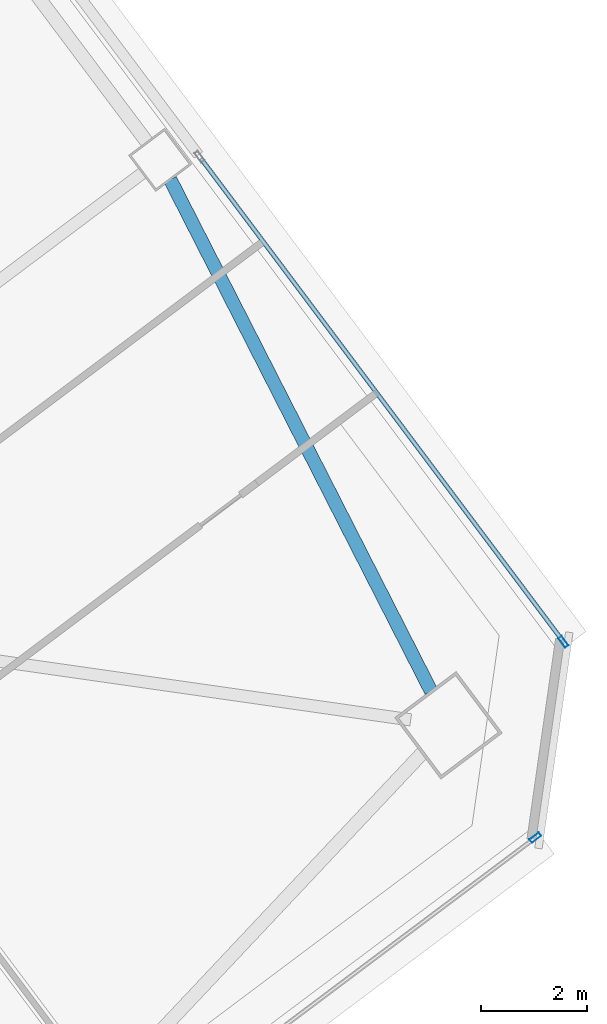
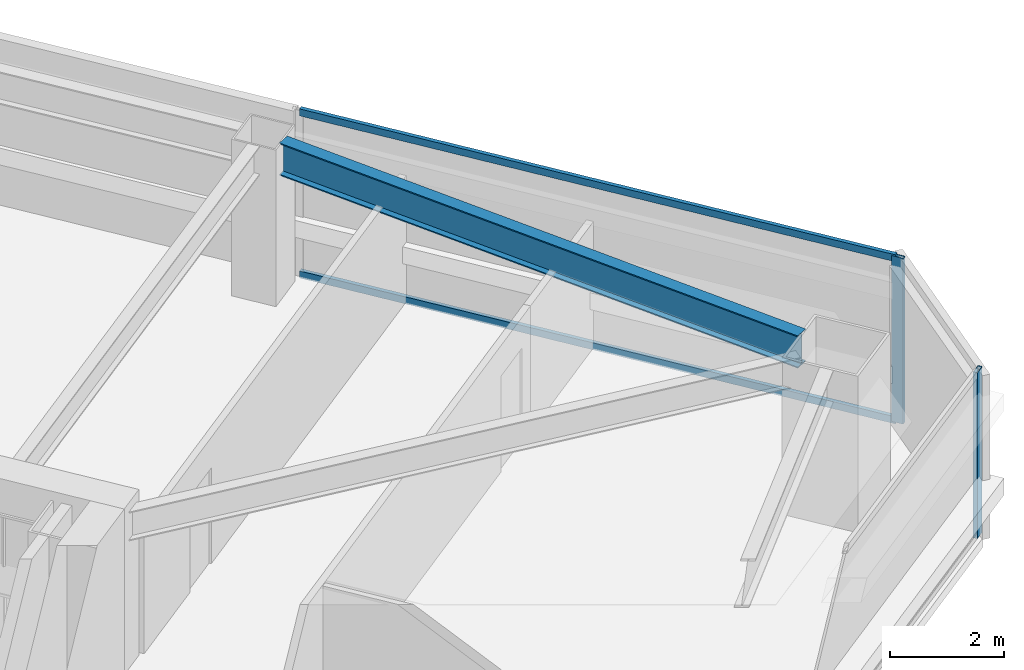
# One storey, part 26 of 44: 4 members, 1 beam, 2 elements without a shape of their own.
"""IFC4 building model written with IfcOpenShell, lengths in metres."""

from ifc_helpers import new_model, si_unit, direction, frame, origin, origin_2d, place, context, subcontext, project, spatial, hollow_rectangle, i_section, extrude, material, material_profile, profile_set, type_object, element, aggregate, save


model = new_model("IFC4")

# Units and contexts
model_context = context("Model", 3, precision=1e-05, world=origin(), true_north=direction((0.0, 1.0)))
body_context = subcontext(model_context, "Body", "Model", "MODEL_VIEW")
ifc_project = project(units=[si_unit("LENGTHUNIT", "METRE"), si_unit("AREAUNIT", "SQUARE_METRE"), si_unit("VOLUMEUNIT", "CUBIC_METRE"), si_unit("PLANEANGLEUNIT", "RADIAN"), si_unit("MASSUNIT", "GRAM", prefix="KILO")], contexts=[model_context])

# Site, building, storey
site_placement = place(None, origin())
site = spatial("IfcSite", under=ifc_project, at=site_placement, CompositionType="ELEMENT")
building_placement = place(site_placement, origin())
building = spatial("IfcBuilding", under=site, at=building_placement, Name="Tashvorn Skyway Center", CompositionType="ELEMENT")
storey_placement = place(building_placement, frame((0.0, 0.0, 102.699951171875)))
storey = spatial("IfcBuildingStorey", under=building, at=storey_placement, Name="L27", CompositionType="ELEMENT", Elevation=102.699951171875)

# Beam
ifc_material_1 = material(Name="Steel ASTM A992 Grade 50", Category="steel")
ifc_material_profile_1 = material_profile(ifc_material_1, i_section(OverallWidth=0.256103515625, OverallDepth=0.693115234375, WebThickness=0.014404296875, FlangeThickness=0.023681640625, at=origin_2d()), Name="W27X114")
ifc_profile_set_1 = profile_set([ifc_material_profile_1], Name="Steel ASTM A992 Grade 50")
beam_type = type_object("IfcBeamType", Name="BM-SPANDREL-W27X114", PredefinedType="SPANDREL", material=ifc_profile_set_1)
beam_placement = place(storey_placement, frame((137.7529296875, 29.201416015625, 3.003662109375), z_axis=(-0.454210938961, 0.890894170442, 0.0), x_axis=(-0.890894170442, -0.454210938961, 0.0)))
element("IfcBeam", 1, at=beam_placement, inside=storey, type_object=beam_type, Name="Tower 2 L27 Spandrel Beam 04", PredefinedType="SPANDREL", context=body_context, shape_type="SweptSolid", body=[
    extrude(i_section(OverallWidth=0.256103515625, OverallDepth=0.693115234375, WebThickness=0.014404296875, FlangeThickness=0.023681640625, at=origin_2d()), origin(), (0.0, 0.0, 1.0), 10.836669921875),
])

# Curtain wall, member
ifc_material_2 = material(Name="Thermally broken bronze-anodized aluminium 6063-T6", Category="aluminium")
curtain_wall_type = type_object("IfcCurtainWallType", Name="CW-CW-Z2", PredefinedType="NOTDEFINED", material=ifc_material_2)
curtain_wall_1_placement = place(storey_placement, origin())
curtain_wall_1 = element("IfcCurtainWall", 2, at=curtain_wall_1_placement, inside=storey, type_object=curtain_wall_type, Name="Tower 2 L27 South Curtain Wall L", PredefinedType="NOTDEFINED")
ifc_material_profile_2 = material_profile(ifc_material_2, hollow_rectangle(XDim=0.080078125, YDim=0.219970703125, WallThickness=0.0048828125, at=origin_2d()), Name="ALU-MULL-80x220")
ifc_profile_set_2 = profile_set([ifc_material_profile_2], Name="Thermally broken bronze-anodized aluminium 6063-T6")
member_type_1 = type_object("IfcMemberType", Name="CWM-CW-Z2", PredefinedType="MULLION", material=ifc_profile_set_2)
member_1_placement = place(storey_placement, frame((139.719970703125, 26.43994140625, 0.0), z_axis=(0.0, 0.0, 1.0), x_axis=(0.600000000002, -0.799999999998, 0.0)))
member_1 = element("IfcMember", 3, at=member_1_placement, type_object=member_type_1, Name="CW-Z2 mullion 1", PredefinedType="MULLION", context=body_context, shape_type="SweptSolid", body=[
    extrude(hollow_rectangle(XDim=0.080078125, YDim=0.219970703125, WallThickness=0.0048828125, at=origin_2d()), origin(), (0.0, 0.0, 1.0), 3.550048828125),
])
aggregate(curtain_wall_1, [member_1])

# Curtain wall, members
curtain_wall_2_placement = place(storey_placement, origin())
curtain_wall_2 = element("IfcCurtainWall", 4, at=curtain_wall_2_placement, inside=storey, type_object=curtain_wall_type, Name="Tower 2 L27 East Unitised Curtain Wall Glazing Group 2", PredefinedType="NOTDEFINED")
member_2_placement = place(storey_placement, frame((140.248046875, 30.135986328125, 0.0), z_axis=(0.0, 0.0, 1.0), x_axis=(0.799999999998, 0.600000000002, 0.0)))
member_2 = element("IfcMember", 5, at=member_2_placement, type_object=member_type_1, Name="CW-Z2 mullion 2", PredefinedType="MULLION", context=body_context, shape_type="SweptSolid", body=[
    extrude(hollow_rectangle(XDim=0.080078125, YDim=0.219970703125, WallThickness=0.0048828125, at=origin_2d()), origin(), (0.0, 0.0, 1.0), 3.550048828125),
])
ifc_material_profile_3 = material_profile(ifc_material_2, hollow_rectangle(XDim=0.080078125, YDim=0.14990234375, WallThickness=0.00439453125, at=origin_2d()), Name="ALU-TRAN-80x150")
ifc_profile_set_3 = profile_set([ifc_material_profile_3], Name="Thermally broken bronze-anodized aluminium 6063-T6")
member_type_2 = type_object("IfcMemberType", Name="CWT-CW-Z2", PredefinedType="USERDEFINED", material=ifc_profile_set_3)
member_3_placement = place(storey_placement, frame((133.407958984375, 39.256103515625, 0.0400390625), z_axis=(0.600003438533, -0.799997421089, 0.0), x_axis=(0.799997421089, 0.600003438533, 0.0)))
member_3 = element("IfcMember", 6, at=member_3_placement, type_object=member_type_2, Name="CW-Z2 transom 1.1", ObjectType="TRANSOM", PredefinedType="USERDEFINED", context=body_context, shape_type="SweptSolid", body=[
    extrude(hollow_rectangle(XDim=0.080078125, YDim=0.14990234375, WallThickness=0.00439453125, at=origin_2d()), origin(), (0.0, 0.0, 1.0), 11.360107421875),
])
member_4_placement = place(storey_placement, frame((133.407958984375, 39.256103515625, 3.510009765625), z_axis=(0.600003438533, -0.799997421089, 0.0), x_axis=(0.799997421089, 0.600003438533, 0.0)))
member_4 = element("IfcMember", 7, at=member_4_placement, type_object=member_type_2, Name="CW-Z2 transom 1.2", ObjectType="TRANSOM", PredefinedType="USERDEFINED", context=body_context, shape_type="SweptSolid", body=[
    extrude(hollow_rectangle(XDim=0.080078125, YDim=0.14990234375, WallThickness=0.00439453125, at=origin_2d()), origin(), (0.0, 0.0, 1.0), 11.360107421875),
])
aggregate(curtain_wall_2, [member_2, member_3, member_4])

save(model, "model.ifc")
